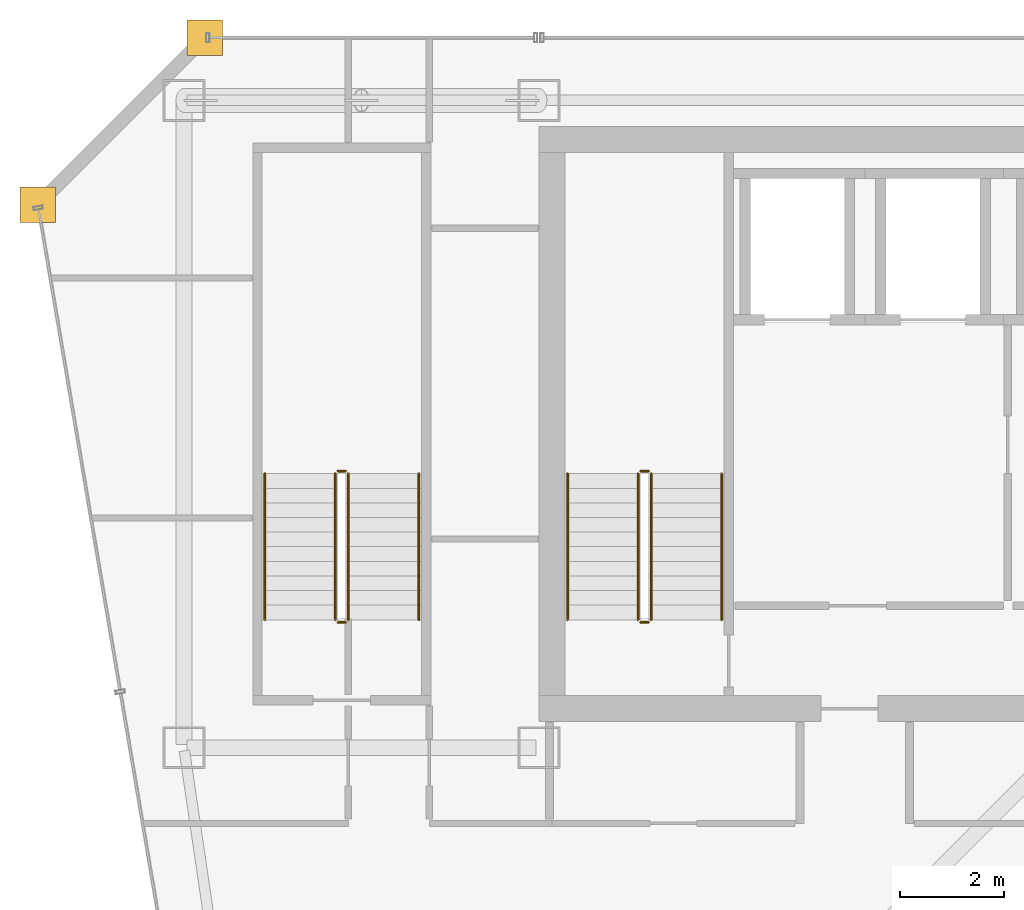
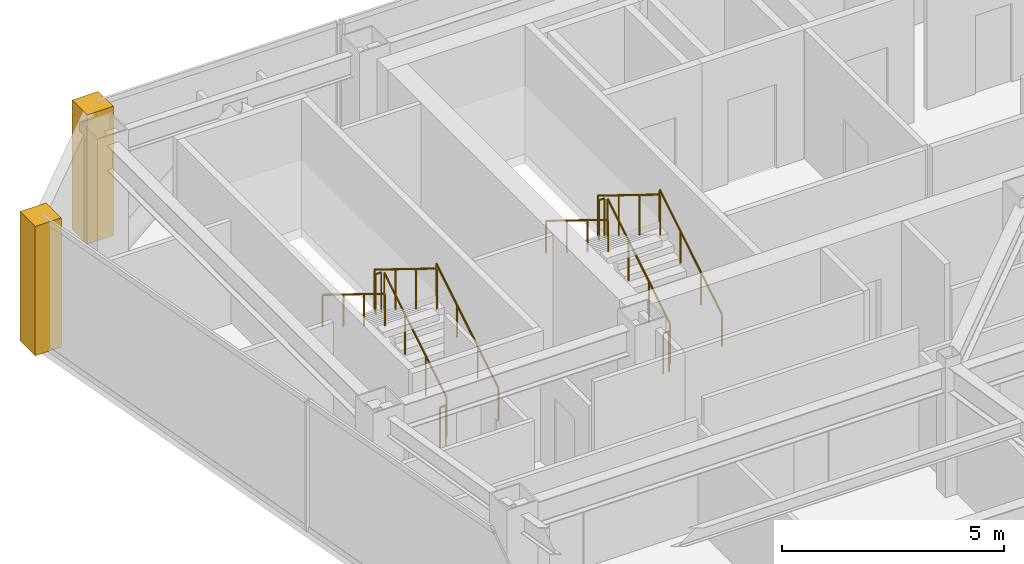
# One storey, part 35 of 36: 12 railings, 2 coverings.
"""IFC4 building model written with IfcOpenShell, lengths in metres."""

import ifcopenshell
import ifcopenshell.guid

model = None  # the IFC model being written
_history = None  # IfcOwnerHistory: only IFC2X3 demands one
_inside = {}  # id of a spatial element -> (the spatial element, [elements in it])
_under = {}  # id of a project, library or spatial element -> (it, [spatial elements below it])
_declared = {}  # id of a project -> (the project, [libraries it declares])
_typed = {}  # id of a type object -> (the type object, [elements of that type])
_made_of = {}  # id of a material, layer set ... -> (it, [elements and type objects made of it])


def new_model(schema):
    """Start an empty IFC model of exactly this schema.

    Asked for "IFC4X3", IfcOpenShell would pick the latest addendum, in which some entities
    have other attributes; the version numbers below select the first issue.
    IFC2X3 requires an IfcOwnerHistory on every rooted entity: one is made here for all.
    """
    global model, _history
    if schema == "IFC4X3":
        model = ifcopenshell.file(schema_version=(4, 3, 0, 0))
    else:
        model = ifcopenshell.file(schema=schema)
    _inside.clear()
    _under.clear()
    _declared.clear()
    _typed.clear()
    _made_of.clear()
    _history = None
    if model.schema == "IFC2X3":
        org = make("IfcOrganization", Name="unknown")
        user = make(
            "IfcPersonAndOrganization",
            ThePerson=make("IfcPerson", FamilyName="unknown"),
            TheOrganization=org,
        )
        app = make(
            "IfcApplication",
            ApplicationDeveloper=org,
            Version="unknown",
            ApplicationFullName="unknown",
            ApplicationIdentifier="unknown",
        )
        _history = make(
            "IfcOwnerHistory",
            OwningUser=user,
            OwningApplication=app,
            ChangeAction="ADDED",
            CreationDate=0,
        )
    return model


def make(cls, **values):
    """One entity of the class cls with the attributes given. An attribute that is None is left unset."""
    return model.create_entity(
        cls, **{name: value for name, value in values.items() if value is not None}
    )


def rooted(cls, **values):
    """An entity with a GlobalId (a new one), such as an element, a storey or a relation."""
    return make(cls, GlobalId=ifcopenshell.guid.new(), OwnerHistory=_history, **values)


def si_unit(unit_type, name, prefix=None):
    """IfcSIUnit, for example si_unit("LENGTHUNIT", "METRE", prefix="MILLI")."""
    return make("IfcSIUnit", UnitType=unit_type, Prefix=prefix, Name=name)


def assignment(units):
    """IfcUnitAssignment: the units of a project."""
    return None if units is None else make("IfcUnitAssignment", Units=units)


def point(xyz):
    """IfcCartesianPoint."""
    return None if xyz is None else make("IfcCartesianPoint", Coordinates=xyz)


def direction(xyz):
    """IfcDirection."""
    return None if xyz is None else make("IfcDirection", DirectionRatios=xyz)


def frame(location, z_axis=None, x_axis=None):
    """IfcAxis2Placement3D, a coordinate frame: its origin and axes. An axis left out is left unset."""
    return make(
        "IfcAxis2Placement3D",
        Location=point(location),
        Axis=direction(z_axis),
        RefDirection=direction(x_axis),
    )


def frame_2d(location, x_axis=None):
    """IfcAxis2Placement2D, a coordinate frame in the plane: its origin and x axis."""
    return make(
        "IfcAxis2Placement2D", Location=point(location), RefDirection=direction(x_axis)
    )


def origin():
    """The frame at (0, 0, 0) with its axes left unset."""
    return frame((0.0, 0.0, 0.0))


def origin_2d():
    """The frame at (0, 0) in the plane with its x axis left unset."""
    return frame_2d((0.0, 0.0))


def place(relative_to, where):
    """IfcLocalPlacement: puts the frame where relative to a parent placement (None: the world)."""
    return make(
        "IfcLocalPlacement", PlacementRelTo=relative_to, RelativePlacement=where
    )


def context(
    kind, dimensions, precision=None, world=None, true_north=None, identifier=None
):
    """IfcGeometricRepresentationContext, for example the 3D "Model" context."""
    return make(
        "IfcGeometricRepresentationContext",
        ContextIdentifier=identifier,
        ContextType=kind,
        CoordinateSpaceDimension=dimensions,
        Precision=precision,
        WorldCoordinateSystem=world,
        TrueNorth=true_north,
    )


def subcontext(parent, identifier, kind, view, scale=None):
    """IfcGeometricRepresentationSubContext, for example "Body" below "Model"."""
    return make(
        "IfcGeometricRepresentationSubContext",
        ContextIdentifier=identifier,
        ContextType=kind,
        ParentContext=parent,
        TargetScale=scale,
        TargetView=view,
    )


def project(units=None, contexts=None):
    """IfcProject with its units and contexts."""
    return rooted(
        "IfcProject",
        Name="project",
        RepresentationContexts=contexts,
        UnitsInContext=assignment(units),
    )


def spatial(cls, under=None, at=None, **own):
    """A site, building, storey or space (cls), placed at a placement, below another one or the project."""
    s = rooted(cls, ObjectPlacement=at, **own)
    if under is not None:
        _under.setdefault(under.id(), (under, []))[1].append(s)
    return s


def polyline(points):
    """IfcPolyline through the points."""
    return make("IfcPolyline", Points=[point(p) for p in points])


def profile(cls, at=None, kind="AREA", **sizes):
    """A parametric profile (cls). Its sizes go by their IFC names, for example OverallWidth=200.0."""
    return make(cls, ProfileType=kind, Position=at, **sizes)


def circle(**sizes):
    """IfcCircleProfileDef."""
    return profile("IfcCircleProfileDef", **sizes)


def outline(outer, holes=None, kind="AREA"):
    """IfcArbitraryClosedProfileDef: a profile drawn as a closed curve; with holes, ...WithVoids."""
    if holes is None:
        return make("IfcArbitraryClosedProfileDef", ProfileType=kind, OuterCurve=outer)
    return make(
        "IfcArbitraryProfileDefWithVoids",
        ProfileType=kind,
        OuterCurve=outer,
        InnerCurves=holes,
    )


def extrude(swept, where, along, depth):
    """IfcExtrudedAreaSolid: the profile swept, set in the frame where, extruded along a direction by depth."""
    return make(
        "IfcExtrudedAreaSolid",
        SweptArea=swept,
        Position=where,
        ExtrudedDirection=direction(along),
        Depth=depth,
    )


def shape(context_of_items, identifier, shape_type, items):
    """IfcShapeRepresentation: the items that make up one representation, for example the "Body"."""
    return make(
        "IfcShapeRepresentation",
        ContextOfItems=context_of_items,
        RepresentationIdentifier=identifier,
        RepresentationType=shape_type,
        Items=items,
    )


def material(Name=None, Category=None):
    """IfcMaterial."""
    return make("IfcMaterial", Name=Name, Category=Category)


def layer(
    of_material, thickness, ventilated=None, Name=None, Category=None, Priority=None
):
    """IfcMaterialLayer: one layer of a wall or slab, of a material (None: an air gap)."""
    return make(
        "IfcMaterialLayer",
        Material=of_material,
        LayerThickness=thickness,
        IsVentilated=ventilated,
        Name=Name,
        Category=Category,
        Priority=Priority,
    )


def layer_set(layers, Name=None):
    """IfcMaterialLayerSet."""
    return make("IfcMaterialLayerSet", MaterialLayers=layers, LayerSetName=Name)


def made_of(thing, what):
    """Note that an element or type object is made of a material, layer set ...; save() writes the relation."""
    if what is not None:
        _made_of.setdefault(what.id(), (what, []))[1].append(thing)
    return thing


def type_object(cls, material=None, **own):
    """A type object (cls), such as IfcWallType, which elements share."""
    return made_of(rooted(cls, **own), material)


def element(
    cls,
    number,
    at=None,
    inside=None,
    cuts=None,
    type_object=None,
    material=None,
    context=None,
    identifier="Body",
    shape_type=None,
    held_by="IfcProductDefinitionShape",
    body=None,
    shapes=None,
    **own,
):
    """One element of the class cls, such as IfcWall. Its Tag is "e" and its number.

    at: its placement. inside: the storey or other place that contains it. cuts: it is an
    opening in that element (IfcRelVoidsElement). A single representation is given by context,
    identifier, shape_type and body (its items); several are given by shapes. held_by: the class
    of the entity that holds the representations. save() writes the other relations.
    """
    e = rooted(cls, Tag="e%d" % number, ObjectPlacement=at, **own)
    if body is not None:
        shapes = [shape(context, identifier, shape_type, body)]
    if shapes is not None:
        e.Representation = make(held_by, Representations=shapes)
    if inside is not None:
        _inside.setdefault(inside.id(), (inside, []))[1].append(e)
    if cuts is not None:
        rooted(
            "IfcRelVoidsElement", RelatingBuildingElement=cuts, RelatedOpeningElement=e
        )
    if type_object is not None:
        _typed.setdefault(type_object.id(), (type_object, []))[1].append(e)
    return made_of(e, material)


def aggregate(whole, parts):
    """IfcRelAggregates: a whole, such as a stair, and the parts it consists of."""
    return rooted("IfcRelAggregates", RelatingObject=whole, RelatedObjects=parts)


def save(model, path):
    """Write the relations noted so far, then the file.

    IfcRelAggregates (storeys below a building ...), IfcRelContainedInSpatialStructure (elements
    in a storey), IfcRelDefinesByType, IfcRelAssociatesMaterial and IfcRelDeclares: one each for
    every whole, place, type object, material and project.
    """
    for whole, parts in _under.values():
        aggregate(whole, parts)
    for where, things in _inside.values():
        rooted(
            "IfcRelContainedInSpatialStructure",
            RelatedElements=things,
            RelatingStructure=where,
        )
    for kind, things in _typed.values():
        rooted("IfcRelDefinesByType", RelatedObjects=things, RelatingType=kind)
    for what, things in _made_of.values():
        rooted("IfcRelAssociatesMaterial", RelatedObjects=things, RelatingMaterial=what)
    for by, libraries in _declared.values():
        rooted("IfcRelDeclares", RelatingContext=by, RelatedDefinitions=libraries)
    model.write(path)


model = new_model("IFC4")

# Units and contexts
model_context = context("Model", 3, precision=1e-05, world=origin(), true_north=direction((0.0, 1.0)))
body_context = subcontext(model_context, "Body", "Model", "MODEL_VIEW")
ifc_project = project(units=[si_unit("LENGTHUNIT", "METRE"), si_unit("AREAUNIT", "SQUARE_METRE"), si_unit("VOLUMEUNIT", "CUBIC_METRE"), si_unit("PLANEANGLEUNIT", "RADIAN"), si_unit("MASSUNIT", "GRAM", prefix="KILO")], contexts=[model_context])

# Site, building, storey
site_placement = place(None, origin())
site = spatial("IfcSite", under=ifc_project, at=site_placement, CompositionType="ELEMENT")
building_placement = place(site_placement, origin())
building = spatial("IfcBuilding", under=site, at=building_placement, Name="Saevonmaru Cultural Tower", CompositionType="ELEMENT")
storey_placement = place(building_placement, frame((0.0, 0.0, 186.60009765625)))
storey = spatial("IfcBuildingStorey", under=building, at=storey_placement, Name="L42", CompositionType="ELEMENT", Elevation=186.60009765625)

# Coverings
ifc_material_1 = material(Name="Satin Bronze Anodised Aluminium", Category="aluminium")
ifc_layer = layer(ifc_material_1, 0.679931640625, Name="Satin Bronze Anodised Aluminium")
ifc_layer_set = layer_set([ifc_layer], Name="Satin Bronze Anodised Aluminium")
covering_type = type_object("IfcCoveringType", Name="CV-CORNER-CLAD", PredefinedType="CLADDING", material=ifc_layer_set)
covering_1_placement = place(storey_placement, origin())
element("IfcCovering", 1, at=covering_1_placement, inside=storey, type_object=covering_type, Name="L42 Tower Bronze Corner Cladding Pier 11", PredefinedType="CLADDING", context=body_context, shape_type="SweptSolid", body=[
    extrude(outline(polyline([(6.860107421875, 55.659912109375), (7.5400390625, 55.659912109375), (7.5400390625, 56.340087890625), (6.860107421875, 56.340087890625), (6.860107421875, 55.659912109375)])), origin(), (0.0, 0.0, 1.0), 3.5498046875),
])
covering_2_placement = place(storey_placement, origin())
element("IfcCovering", 2, at=covering_2_placement, inside=storey, type_object=covering_type, Name="L42 Tower Bronze Corner Cladding Pier 12", PredefinedType="CLADDING", context=body_context, shape_type="SweptSolid", body=[
    extrude(outline(polyline([(3.659912109375, 52.4599609375), (4.340087890625, 52.4599609375), (4.340087890625, 53.139892578125), (3.659912109375, 53.139892578125), (3.659912109375, 52.4599609375)])), origin(), (0.0, 0.0, 1.0), 3.5498046875),
])

# Railings
ifc_material_2 = material(Name="Architectural Painted Steel", Category="steel")
railing_type_1 = type_object("IfcRailingType", Name="RL-STAIR-GUARD", PredefinedType="GUARDRAIL", material=ifc_material_2)
railing_1_placement = place(storey_placement, frame((15.75, 44.85009765625, 0.172607421875)))
element("IfcRailing", 3, at=railing_1_placement, inside=storey, type_object=railing_type_1, Name="L42 ST-1 stair guard 1", PredefinedType="GUARDRAIL", context=body_context, shape_type="SweptSolid", body=[
    extrude(circle(Radius=0.02392578125, at=origin_2d()), frame((0.0, 0.0, 1.09619140625), z_axis=(0.0, 0.851069175582, 0.525053576669), x_axis=(-1.0, 0.0, 0.0)), (0.0, 0.0, 1.0), 3.289794921875),
    extrude(circle(Radius=0.02099609375, at=origin_2d()), origin(), (0.0, 0.0, 1.0), 1.072021484375),
    extrude(circle(Radius=0.02099609375, at=origin_2d()), frame((0.0, 0.933349609375, 0.57568359375)), (0.0, 0.0, 1.0), 1.072021484375),
    extrude(circle(Radius=0.02099609375, at=origin_2d()), frame((0.0, 1.866455078125, 1.151611328125)), (0.0, 0.0, 1.0), 1.072021484375),
    extrude(circle(Radius=0.02099609375, at=origin_2d()), frame((0.0, 2.7998046875, 1.727294921875)), (0.0, 0.0, 1.0), 1.072021484375),
])
railing_2_placement = place(storey_placement, frame((15.699951171875, 47.699951171875, 1.89990234375)))
element("IfcRailing", 4, at=railing_2_placement, inside=storey, type_object=railing_type_1, Name="L42 ST-1 stair guard 2", PredefinedType="GUARDRAIL", context=body_context, shape_type="SweptSolid", body=[
    extrude(circle(Radius=0.02392578125, at=origin_2d()), frame((0.0, 0.0, 1.09619140625), z_axis=(-1.0, 0.0, 0.0), x_axis=(0.0, -1.0, 0.0)), (0.0, 0.0, 1.0), 0.14990234375),
    extrude(circle(Radius=0.02099609375, at=origin_2d()), origin(), (0.0, 0.0, 1.0), 1.072021484375),
    extrude(circle(Radius=0.02099609375, at=origin_2d()), frame((-0.14990234375, 0.0, 0.0)), (0.0, 0.0, 1.0), 1.072021484375),
])
railing_3_placement = place(storey_placement, frame((15.5, 47.64990234375, 2.072509765625)))
element("IfcRailing", 5, at=railing_3_placement, inside=storey, type_object=railing_type_1, Name="L42 ST-1 stair guard 3", PredefinedType="GUARDRAIL", context=body_context, shape_type="SweptSolid", body=[
    extrude(circle(Radius=0.02392578125, at=origin_2d()), frame((0.0, 0.0, 1.09619140625), z_axis=(0.0, -0.851069175582, 0.525053576669), x_axis=(1.0, 0.0, 0.0)), (0.0, 0.0, 1.0), 3.289794921875),
    extrude(circle(Radius=0.02099609375, at=origin_2d()), origin(), (0.0, 0.0, 1.0), 1.072021484375),
    extrude(circle(Radius=0.02099609375, at=origin_2d()), frame((0.0, -0.933349609375, 0.57568359375)), (0.0, 0.0, 1.0), 1.072021484375),
    extrude(circle(Radius=0.02099609375, at=origin_2d()), frame((0.0, -1.866455078125, 1.151611328125)), (0.0, 0.0, 1.0), 1.072021484375),
    extrude(circle(Radius=0.02099609375, at=origin_2d()), frame((0.0, -2.7998046875, 1.727294921875)), (0.0, 0.0, 1.0), 1.072021484375),
])
railing_4_placement = place(storey_placement, frame((15.699951171875, 44.800048828125, 0.0)))
element("IfcRailing", 6, at=railing_4_placement, inside=storey, type_object=railing_type_1, Name="L42 ST-1 stair guard 4", PredefinedType="GUARDRAIL", context=body_context, shape_type="SweptSolid", body=[
    extrude(circle(Radius=0.02392578125, at=origin_2d()), frame((0.0, 0.0, 1.09619140625), z_axis=(-1.0, 0.0, 0.0), x_axis=(0.0, -1.0, 0.0)), (0.0, 0.0, 1.0), 0.14990234375),
    extrude(circle(Radius=0.02099609375, at=origin_2d()), origin(), (0.0, 0.0, 1.0), 1.072021484375),
    extrude(circle(Radius=0.02099609375, at=origin_2d()), frame((-0.14990234375, 0.0, 0.0)), (0.0, 0.0, 1.0), 1.072021484375),
])
railing_5_placement = place(storey_placement, frame((9.949951171875, 44.85009765625, 0.172607421875)))
element("IfcRailing", 7, at=railing_5_placement, inside=storey, type_object=railing_type_1, Name="L42 ST-3 stair guard 1", PredefinedType="GUARDRAIL", context=body_context, shape_type="SweptSolid", body=[
    extrude(circle(Radius=0.02392578125, at=origin_2d()), frame((0.0, 0.0, 1.09619140625), z_axis=(0.0, 0.851069175582, 0.525053576669), x_axis=(-1.0, 0.0, 0.0)), (0.0, 0.0, 1.0), 3.289794921875),
    extrude(circle(Radius=0.02099609375, at=origin_2d()), origin(), (0.0, 0.0, 1.0), 1.072021484375),
    extrude(circle(Radius=0.02099609375, at=origin_2d()), frame((0.0, 0.933349609375, 0.57568359375)), (0.0, 0.0, 1.0), 1.072021484375),
    extrude(circle(Radius=0.02099609375, at=origin_2d()), frame((0.0, 1.866455078125, 1.151611328125)), (0.0, 0.0, 1.0), 1.072021484375),
    extrude(circle(Radius=0.02099609375, at=origin_2d()), frame((0.0, 2.7998046875, 1.727294921875)), (0.0, 0.0, 1.0), 1.072021484375),
])
railing_6_placement = place(storey_placement, frame((9.89990234375, 47.699951171875, 1.89990234375)))
element("IfcRailing", 8, at=railing_6_placement, inside=storey, type_object=railing_type_1, Name="L42 ST-3 stair guard 2", PredefinedType="GUARDRAIL", context=body_context, shape_type="SweptSolid", body=[
    extrude(circle(Radius=0.02392578125, at=origin_2d()), frame((0.0, 0.0, 1.09619140625), z_axis=(-1.0, 0.0, 0.0), x_axis=(0.0, -1.0, 0.0)), (0.0, 0.0, 1.0), 0.14990234375),
    extrude(circle(Radius=0.02099609375, at=origin_2d()), origin(), (0.0, 0.0, 1.0), 1.072021484375),
    extrude(circle(Radius=0.02099609375, at=origin_2d()), frame((-0.14990234375, 0.0, 0.0)), (0.0, 0.0, 1.0), 1.072021484375),
])
railing_7_placement = place(storey_placement, frame((9.699951171875, 47.64990234375, 2.072509765625)))
element("IfcRailing", 9, at=railing_7_placement, inside=storey, type_object=railing_type_1, Name="L42 ST-3 stair guard 3", PredefinedType="GUARDRAIL", context=body_context, shape_type="SweptSolid", body=[
    extrude(circle(Radius=0.02392578125, at=origin_2d()), frame((0.0, 0.0, 1.09619140625), z_axis=(0.0, -0.851069175582, 0.525053576669), x_axis=(1.0, 0.0, 0.0)), (0.0, 0.0, 1.0), 3.289794921875),
    extrude(circle(Radius=0.02099609375, at=origin_2d()), origin(), (0.0, 0.0, 1.0), 1.072021484375),
    extrude(circle(Radius=0.02099609375, at=origin_2d()), frame((0.0, -0.933349609375, 0.57568359375)), (0.0, 0.0, 1.0), 1.072021484375),
    extrude(circle(Radius=0.02099609375, at=origin_2d()), frame((0.0, -1.866455078125, 1.151611328125)), (0.0, 0.0, 1.0), 1.072021484375),
    extrude(circle(Radius=0.02099609375, at=origin_2d()), frame((0.0, -2.7998046875, 1.727294921875)), (0.0, 0.0, 1.0), 1.072021484375),
])
railing_8_placement = place(storey_placement, frame((9.89990234375, 44.800048828125, 0.0)))
element("IfcRailing", 10, at=railing_8_placement, inside=storey, type_object=railing_type_1, Name="L42 ST-3 stair guard 4", PredefinedType="GUARDRAIL", context=body_context, shape_type="SweptSolid", body=[
    extrude(circle(Radius=0.02392578125, at=origin_2d()), frame((0.0, 0.0, 1.09619140625), z_axis=(-1.0, 0.0, 0.0), x_axis=(0.0, -1.0, 0.0)), (0.0, 0.0, 1.0), 0.14990234375),
    extrude(circle(Radius=0.02099609375, at=origin_2d()), origin(), (0.0, 0.0, 1.0), 1.072021484375),
    extrude(circle(Radius=0.02099609375, at=origin_2d()), frame((-0.14990234375, 0.0, 0.0)), (0.0, 0.0, 1.0), 1.072021484375),
])
railing_type_2 = type_object("IfcRailingType", Name="RL-STAIR-HANDRAIL", PredefinedType="HANDRAIL", material=ifc_material_1)
railing_9_placement = place(storey_placement, frame((17.10009765625, 44.85009765625, 0.172607421875)))
element("IfcRailing", 11, at=railing_9_placement, inside=storey, type_object=railing_type_2, Name="L42 ST-1 stair handrail 1", PredefinedType="HANDRAIL", context=body_context, shape_type="SweptSolid", body=[
    extrude(circle(Radius=0.02392578125, at=origin_2d()), frame((0.0, 0.0, 0.8759765625), z_axis=(0.0, 0.851069175582, 0.525053576669), x_axis=(-1.0, 0.0, 0.0)), (0.0, 0.0, 1.0), 3.289794921875),
    extrude(circle(Radius=0.02099609375, at=origin_2d()), origin(), (0.0, 0.0, 1.0), 0.851806640625),
    extrude(circle(Radius=0.02099609375, at=origin_2d()), frame((0.0, 0.933349609375, 0.57568359375)), (0.0, 0.0, 1.0), 0.851806640625),
    extrude(circle(Radius=0.02099609375, at=origin_2d()), frame((0.0, 1.866455078125, 1.151611328125)), (0.0, 0.0, 1.0), 0.851806640625),
    extrude(circle(Radius=0.02099609375, at=origin_2d()), frame((0.0, 2.7998046875, 1.727294921875)), (0.0, 0.0, 1.0), 0.851806640625),
])
railing_10_placement = place(storey_placement, frame((14.14990234375, 47.64990234375, 2.072509765625)))
element("IfcRailing", 12, at=railing_10_placement, inside=storey, type_object=railing_type_2, Name="L42 ST-1 stair handrail 2", PredefinedType="HANDRAIL", context=body_context, shape_type="SweptSolid", body=[
    extrude(circle(Radius=0.02392578125, at=origin_2d()), frame((0.0, 0.0, 0.8759765625), z_axis=(0.0, -0.851069175582, 0.525053576669), x_axis=(1.0, 0.0, 0.0)), (0.0, 0.0, 1.0), 3.289794921875),
    extrude(circle(Radius=0.02099609375, at=origin_2d()), origin(), (0.0, 0.0, 1.0), 0.851806640625),
    extrude(circle(Radius=0.02099609375, at=origin_2d()), frame((0.0, -0.933349609375, 0.57568359375)), (0.0, 0.0, 1.0), 0.851806640625),
    extrude(circle(Radius=0.02099609375, at=origin_2d()), frame((0.0, -1.866455078125, 1.151611328125)), (0.0, 0.0, 1.0), 0.851806640625),
    extrude(circle(Radius=0.02099609375, at=origin_2d()), frame((0.0, -2.7998046875, 1.727294921875)), (0.0, 0.0, 1.0), 0.851806640625),
])
railing_11_placement = place(storey_placement, frame((11.300048828125, 44.85009765625, 0.172607421875)))
element("IfcRailing", 13, at=railing_11_placement, inside=storey, type_object=railing_type_2, Name="L42 ST-3 stair handrail 1", PredefinedType="HANDRAIL", context=body_context, shape_type="SweptSolid", body=[
    extrude(circle(Radius=0.02392578125, at=origin_2d()), frame((0.0, 0.0, 0.8759765625), z_axis=(0.0, 0.851069175582, 0.525053576669), x_axis=(-1.0, 0.0, 0.0)), (0.0, 0.0, 1.0), 3.289794921875),
    extrude(circle(Radius=0.02099609375, at=origin_2d()), origin(), (0.0, 0.0, 1.0), 0.851806640625),
    extrude(circle(Radius=0.02099609375, at=origin_2d()), frame((0.0, 0.933349609375, 0.57568359375)), (0.0, 0.0, 1.0), 0.851806640625),
    extrude(circle(Radius=0.02099609375, at=origin_2d()), frame((0.0, 1.866455078125, 1.151611328125)), (0.0, 0.0, 1.0), 0.851806640625),
    extrude(circle(Radius=0.02099609375, at=origin_2d()), frame((0.0, 2.7998046875, 1.727294921875)), (0.0, 0.0, 1.0), 0.851806640625),
])
railing_12_placement = place(storey_placement, frame((8.35009765625, 47.64990234375, 2.072509765625)))
element("IfcRailing", 14, at=railing_12_placement, inside=storey, type_object=railing_type_2, Name="L42 ST-3 stair handrail 2", PredefinedType="HANDRAIL", context=body_context, shape_type="SweptSolid", body=[
    extrude(circle(Radius=0.02392578125, at=origin_2d()), frame((0.0, 0.0, 0.8759765625), z_axis=(0.0, -0.851069175582, 0.525053576669), x_axis=(1.0, 0.0, 0.0)), (0.0, 0.0, 1.0), 3.289794921875),
    extrude(circle(Radius=0.02099609375, at=origin_2d()), origin(), (0.0, 0.0, 1.0), 0.851806640625),
    extrude(circle(Radius=0.02099609375, at=origin_2d()), frame((0.0, -0.933349609375, 0.57568359375)), (0.0, 0.0, 1.0), 0.851806640625),
    extrude(circle(Radius=0.02099609375, at=origin_2d()), frame((0.0, -1.866455078125, 1.151611328125)), (0.0, 0.0, 1.0), 0.851806640625),
    extrude(circle(Radius=0.02099609375, at=origin_2d()), frame((0.0, -2.7998046875, 1.727294921875)), (0.0, 0.0, 1.0), 0.851806640625),
])

save(model, "model.ifc")
